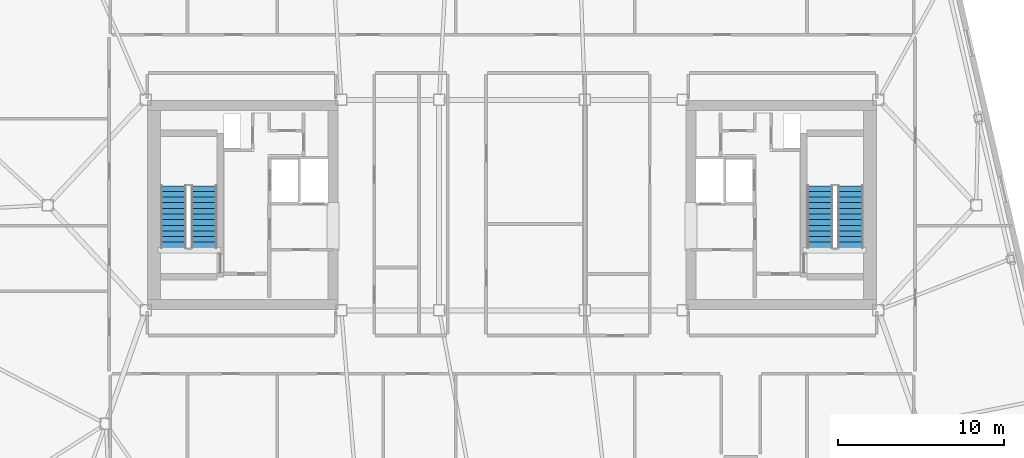
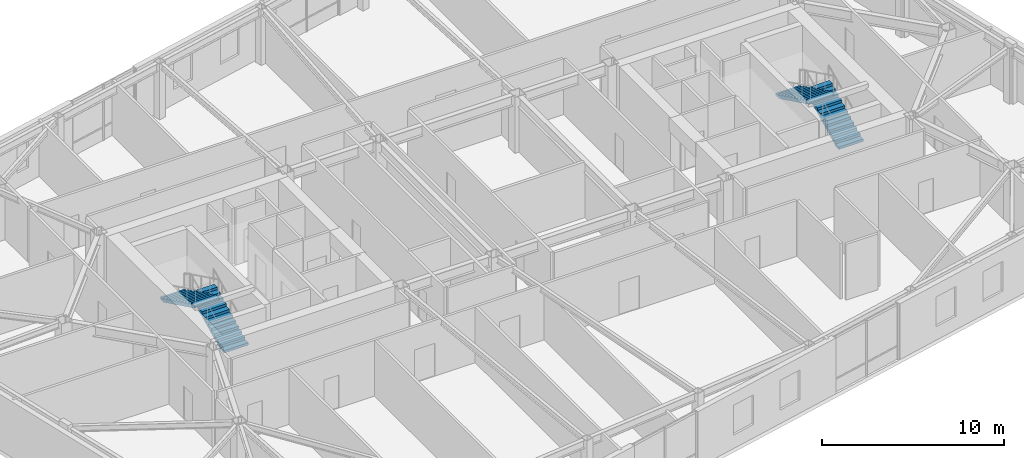
# One storey, part 20 of 23: 4 stair flights, 2 elements without a shape of their own.
"""IFC4 building model written with IfcOpenShell, lengths in metres."""

from ifc_helpers import new_model, si_unit, direction, frame, origin, place, context, subcontext, project, spatial, polyline, outline, extrude, material, type_object, element, aggregate, save


model = new_model("IFC4")

# Units and contexts
model_context = context("Model", 3, precision=1e-05, world=origin(), true_north=direction((0.0, 1.0)))
body_context = subcontext(model_context, "Body", "Model", "MODEL_VIEW")
ifc_project = project(units=[si_unit("LENGTHUNIT", "METRE"), si_unit("AREAUNIT", "SQUARE_METRE"), si_unit("VOLUMEUNIT", "CUBIC_METRE"), si_unit("PLANEANGLEUNIT", "RADIAN"), si_unit("MASSUNIT", "GRAM", prefix="KILO")], contexts=[model_context])

# Site, building, storey
site_placement = place(None, origin())
site = spatial("IfcSite", under=ifc_project, at=site_placement, CompositionType="ELEMENT")
building_placement = place(site_placement, origin())
building = spatial("IfcBuilding", under=site, at=building_placement, Name="Tavrogorsk Clinical Tower", CompositionType="ELEMENT")
storey_placement = place(building_placement, frame((0.0, 0.0, 301.0)))
storey = spatial("IfcBuildingStorey", under=building, at=storey_placement, Name="L70", CompositionType="ELEMENT", Elevation=301.0)

# Stair, stair flights
ifc_material_1 = material(Name="Concrete B60", Category="concrete")
stair_type = type_object("IfcStairType", Name="CoreStairAssembly", PredefinedType="HALF_TURN_STAIR", material=ifc_material_1)
stair_1_placement = place(storey_placement, origin())
stair_1 = element("IfcStair", 1, at=stair_1_placement, inside=storey, type_object=stair_type, Name="L70 ST-W", PredefinedType="HALF_TURN_STAIR")
ifc_material_2 = material(Name="Concrete B60", Category="concrete")
stair_flight_type = type_object("IfcStairFlightType", Name="CoreStairFlight", PredefinedType="STRAIGHT", material=ifc_material_2)
stair_flight_1_placement = place(storey_placement, frame((-18.574951171875, -2.574951171875, 0.0), z_axis=(0.0, 0.0, 1.0), x_axis=(0.0, 1.0, 0.0)))
stair_flight_1 = element("IfcStairFlight", 2, at=stair_flight_1_placement, type_object=stair_flight_type, Name="ST-W flight 1", NumberOfRisers=12, NumberOfTreads=11, PredefinedType="STRAIGHT", RiserHeight=0.166666667, TreadLength=0.34, context=body_context, shape_type="SweptSolid", body=[
    extrude(outline(polyline([(0.0, 0.0), (0.0, 0.166748046875), (0.340087890625, 0.166748046875), (0.340087890625, 0.333251953125), (0.679931640625, 0.333251953125), (0.679931640625, 0.5), (1.02001953125, 0.5), (1.02001953125, 0.666748046875), (1.360107421875, 0.666748046875), (1.360107421875, 0.833251953125), (1.699951171875, 0.833251953125), (1.699951171875, 1.0), (2.0400390625, 1.0), (2.0400390625, 1.166748046875), (2.3798828125, 1.166748046875), (2.3798828125, 1.333251953125), (2.719970703125, 1.333251953125), (2.719970703125, 1.5), (3.06005859375, 1.5), (3.06005859375, 1.666748046875), (3.39990234375, 1.666748046875), (3.39990234375, 1.833251953125), (3.739990234375, 1.833251953125), (3.739990234375, 2.0), (3.739990234375, 1.66650390625), (0.340576171875, 0.0), (0.0, 0.0)])), frame((0.0, 0.77490234375, 0.0), z_axis=(0.0, -1.0, 0.0), x_axis=(1.0, 0.0, 0.0)), (0.0, 0.0, 1.0), 1.550048828125),
])
stair_flight_2_placement = place(storey_placement, frame((-20.425048828125, 1.1650390625, 2.0), z_axis=(0.0, 0.0, 1.0), x_axis=(0.0, -1.0, 0.0)))
stair_flight_2 = element("IfcStairFlight", 3, at=stair_flight_2_placement, type_object=stair_flight_type, Name="ST-W flight 2", NumberOfRisers=12, NumberOfTreads=11, PredefinedType="STRAIGHT", RiserHeight=0.166666667, TreadLength=0.34, context=body_context, shape_type="SweptSolid", body=[
    extrude(outline(polyline([(0.0, 0.0), (0.0, 0.166748046875), (0.340087890625, 0.166748046875), (0.340087890625, 0.333251953125), (0.679931640625, 0.333251953125), (0.679931640625, 0.5), (1.02001953125, 0.5), (1.02001953125, 0.666748046875), (1.360107421875, 0.666748046875), (1.360107421875, 0.833251953125), (1.699951171875, 0.833251953125), (1.699951171875, 1.0), (2.0400390625, 1.0), (2.0400390625, 1.166748046875), (2.3798828125, 1.166748046875), (2.3798828125, 1.333251953125), (2.719970703125, 1.333251953125), (2.719970703125, 1.5), (3.06005859375, 1.5), (3.06005859375, 1.666748046875), (3.39990234375, 1.666748046875), (3.39990234375, 1.833251953125), (3.739990234375, 1.833251953125), (3.739990234375, 2.0), (3.739990234375, 1.66650390625), (0.340576171875, 0.0), (0.0, 0.0)])), frame((0.0, 0.77490234375, 0.0), z_axis=(0.0, -1.0, 0.0), x_axis=(1.0, 0.0, 0.0)), (0.0, 0.0, 1.0), 1.550048828125),
])
aggregate(stair_1, [stair_flight_1, stair_flight_2])

stair_2_placement = place(storey_placement, origin())
stair_2 = element("IfcStair", 4, at=stair_2_placement, inside=storey, type_object=stair_type, Name="L70 ST-E", PredefinedType="HALF_TURN_STAIR")
stair_flight_3_placement = place(storey_placement, frame((20.425048828125, -2.574951171875, 0.0), z_axis=(0.0, 0.0, 1.0), x_axis=(0.0, 1.0, 0.0)))
stair_flight_3 = element("IfcStairFlight", 5, at=stair_flight_3_placement, type_object=stair_flight_type, Name="ST-E flight 1", NumberOfRisers=12, NumberOfTreads=11, PredefinedType="STRAIGHT", RiserHeight=0.166666667, TreadLength=0.34, context=body_context, shape_type="SweptSolid", body=[
    extrude(outline(polyline([(0.0, 0.0), (0.0, 0.166748046875), (0.340087890625, 0.166748046875), (0.340087890625, 0.333251953125), (0.679931640625, 0.333251953125), (0.679931640625, 0.5), (1.02001953125, 0.5), (1.02001953125, 0.666748046875), (1.360107421875, 0.666748046875), (1.360107421875, 0.833251953125), (1.699951171875, 0.833251953125), (1.699951171875, 1.0), (2.0400390625, 1.0), (2.0400390625, 1.166748046875), (2.3798828125, 1.166748046875), (2.3798828125, 1.333251953125), (2.719970703125, 1.333251953125), (2.719970703125, 1.5), (3.06005859375, 1.5), (3.06005859375, 1.666748046875), (3.39990234375, 1.666748046875), (3.39990234375, 1.833251953125), (3.739990234375, 1.833251953125), (3.739990234375, 2.0), (3.739990234375, 1.66650390625), (0.340576171875, 0.0), (0.0, 0.0)])), frame((0.0, 0.77490234375, 0.0), z_axis=(0.0, -1.0, 0.0), x_axis=(1.0, 0.0, 0.0)), (0.0, 0.0, 1.0), 1.550048828125),
])
stair_flight_4_placement = place(storey_placement, frame((18.574951171875, 1.1650390625, 2.0), z_axis=(0.0, 0.0, 1.0), x_axis=(0.0, -1.0, 0.0)))
stair_flight_4 = element("IfcStairFlight", 6, at=stair_flight_4_placement, type_object=stair_flight_type, Name="ST-E flight 2", NumberOfRisers=12, NumberOfTreads=11, PredefinedType="STRAIGHT", RiserHeight=0.166666667, TreadLength=0.34, context=body_context, shape_type="SweptSolid", body=[
    extrude(outline(polyline([(0.0, 0.0), (0.0, 0.166748046875), (0.340087890625, 0.166748046875), (0.340087890625, 0.333251953125), (0.679931640625, 0.333251953125), (0.679931640625, 0.5), (1.02001953125, 0.5), (1.02001953125, 0.666748046875), (1.360107421875, 0.666748046875), (1.360107421875, 0.833251953125), (1.699951171875, 0.833251953125), (1.699951171875, 1.0), (2.0400390625, 1.0), (2.0400390625, 1.166748046875), (2.3798828125, 1.166748046875), (2.3798828125, 1.333251953125), (2.719970703125, 1.333251953125), (2.719970703125, 1.5), (3.06005859375, 1.5), (3.06005859375, 1.666748046875), (3.39990234375, 1.666748046875), (3.39990234375, 1.833251953125), (3.739990234375, 1.833251953125), (3.739990234375, 2.0), (3.739990234375, 1.66650390625), (0.340576171875, 0.0), (0.0, 0.0)])), frame((0.0, 0.77490234375, 0.0), z_axis=(0.0, -1.0, 0.0), x_axis=(1.0, 0.0, 0.0)), (0.0, 0.0, 1.0), 1.550048828125),
])
aggregate(stair_2, [stair_flight_3, stair_flight_4])

save(model, "model.ifc")
